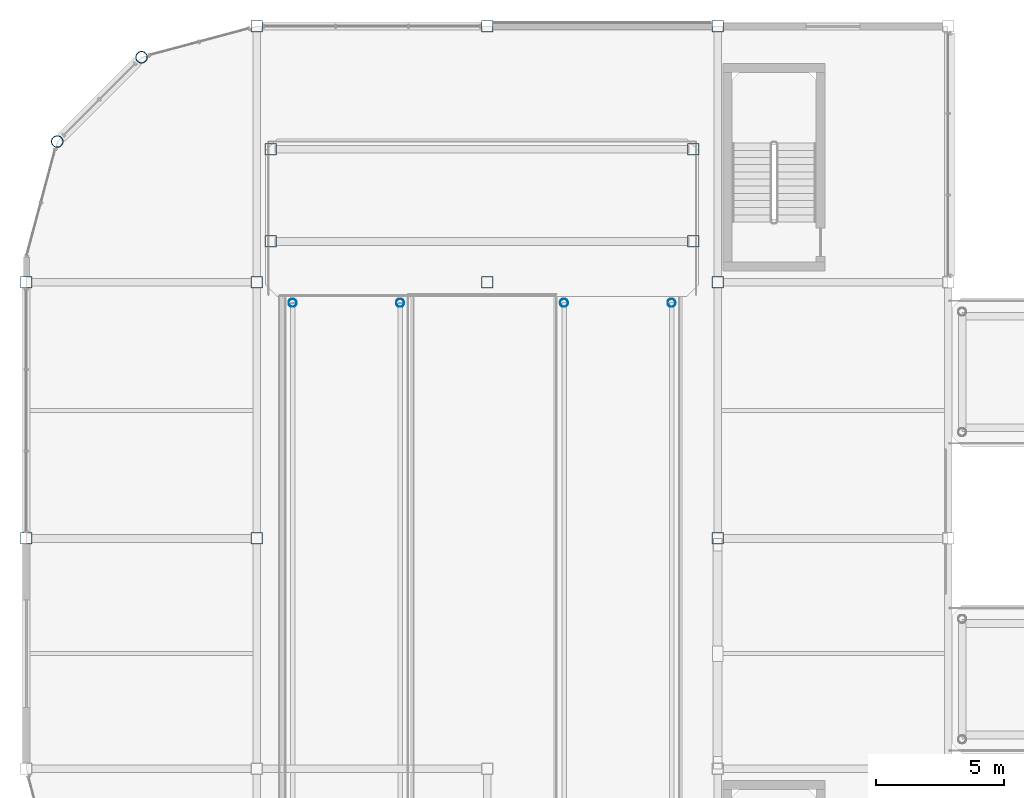
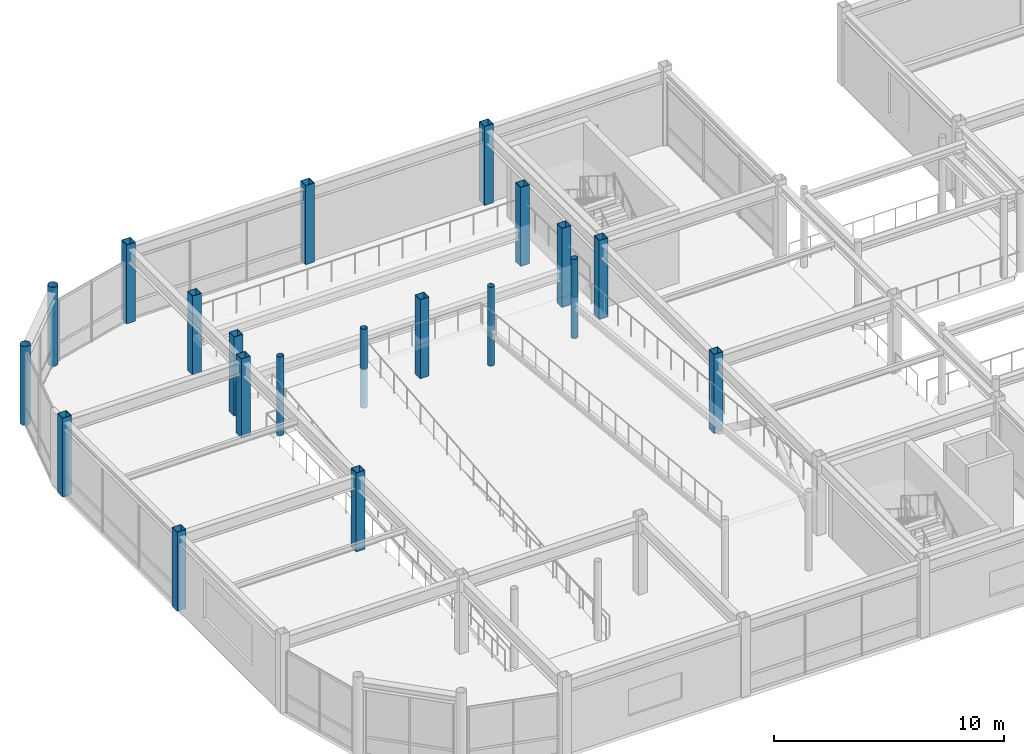
# One storey, part 10 of 105: 20 columns.
"""IFC4 building model written with IfcOpenShell, lengths in metres."""

import ifcopenshell
import ifcopenshell.guid

model = None  # the IFC model being written
_history = None  # IfcOwnerHistory: only IFC2X3 demands one
_inside = {}  # id of a spatial element -> (the spatial element, [elements in it])
_under = {}  # id of a project, library or spatial element -> (it, [spatial elements below it])
_declared = {}  # id of a project -> (the project, [libraries it declares])
_typed = {}  # id of a type object -> (the type object, [elements of that type])
_made_of = {}  # id of a material, layer set ... -> (it, [elements and type objects made of it])


def new_model(schema):
    """Start an empty IFC model of exactly this schema.

    Asked for "IFC4X3", IfcOpenShell would pick the latest addendum, in which some entities
    have other attributes; the version numbers below select the first issue.
    IFC2X3 requires an IfcOwnerHistory on every rooted entity: one is made here for all.
    """
    global model, _history
    if schema == "IFC4X3":
        model = ifcopenshell.file(schema_version=(4, 3, 0, 0))
    else:
        model = ifcopenshell.file(schema=schema)
    _inside.clear()
    _under.clear()
    _declared.clear()
    _typed.clear()
    _made_of.clear()
    _history = None
    if model.schema == "IFC2X3":
        org = make("IfcOrganization", Name="unknown")
        user = make(
            "IfcPersonAndOrganization",
            ThePerson=make("IfcPerson", FamilyName="unknown"),
            TheOrganization=org,
        )
        app = make(
            "IfcApplication",
            ApplicationDeveloper=org,
            Version="unknown",
            ApplicationFullName="unknown",
            ApplicationIdentifier="unknown",
        )
        _history = make(
            "IfcOwnerHistory",
            OwningUser=user,
            OwningApplication=app,
            ChangeAction="ADDED",
            CreationDate=0,
        )
    return model


def make(cls, **values):
    """One entity of the class cls with the attributes given. An attribute that is None is left unset."""
    return model.create_entity(
        cls, **{name: value for name, value in values.items() if value is not None}
    )


def rooted(cls, **values):
    """An entity with a GlobalId (a new one), such as an element, a storey or a relation."""
    return make(cls, GlobalId=ifcopenshell.guid.new(), OwnerHistory=_history, **values)


def si_unit(unit_type, name, prefix=None):
    """IfcSIUnit, for example si_unit("LENGTHUNIT", "METRE", prefix="MILLI")."""
    return make("IfcSIUnit", UnitType=unit_type, Prefix=prefix, Name=name)


def assignment(units):
    """IfcUnitAssignment: the units of a project."""
    return None if units is None else make("IfcUnitAssignment", Units=units)


def point(xyz):
    """IfcCartesianPoint."""
    return None if xyz is None else make("IfcCartesianPoint", Coordinates=xyz)


def direction(xyz):
    """IfcDirection."""
    return None if xyz is None else make("IfcDirection", DirectionRatios=xyz)


def frame(location, z_axis=None, x_axis=None):
    """IfcAxis2Placement3D, a coordinate frame: its origin and axes. An axis left out is left unset."""
    return make(
        "IfcAxis2Placement3D",
        Location=point(location),
        Axis=direction(z_axis),
        RefDirection=direction(x_axis),
    )


def frame_2d(location, x_axis=None):
    """IfcAxis2Placement2D, a coordinate frame in the plane: its origin and x axis."""
    return make(
        "IfcAxis2Placement2D", Location=point(location), RefDirection=direction(x_axis)
    )


def origin():
    """The frame at (0, 0, 0) with its axes left unset."""
    return frame((0.0, 0.0, 0.0))


def origin_2d():
    """The frame at (0, 0) in the plane with its x axis left unset."""
    return frame_2d((0.0, 0.0))


def place(relative_to, where):
    """IfcLocalPlacement: puts the frame where relative to a parent placement (None: the world)."""
    return make(
        "IfcLocalPlacement", PlacementRelTo=relative_to, RelativePlacement=where
    )


def context(
    kind, dimensions, precision=None, world=None, true_north=None, identifier=None
):
    """IfcGeometricRepresentationContext, for example the 3D "Model" context."""
    return make(
        "IfcGeometricRepresentationContext",
        ContextIdentifier=identifier,
        ContextType=kind,
        CoordinateSpaceDimension=dimensions,
        Precision=precision,
        WorldCoordinateSystem=world,
        TrueNorth=true_north,
    )


def subcontext(parent, identifier, kind, view, scale=None):
    """IfcGeometricRepresentationSubContext, for example "Body" below "Model"."""
    return make(
        "IfcGeometricRepresentationSubContext",
        ContextIdentifier=identifier,
        ContextType=kind,
        ParentContext=parent,
        TargetScale=scale,
        TargetView=view,
    )


def project(units=None, contexts=None):
    """IfcProject with its units and contexts."""
    return rooted(
        "IfcProject",
        Name="project",
        RepresentationContexts=contexts,
        UnitsInContext=assignment(units),
    )


def spatial(cls, under=None, at=None, **own):
    """A site, building, storey or space (cls), placed at a placement, below another one or the project."""
    s = rooted(cls, ObjectPlacement=at, **own)
    if under is not None:
        _under.setdefault(under.id(), (under, []))[1].append(s)
    return s


def profile(cls, at=None, kind="AREA", **sizes):
    """A parametric profile (cls). Its sizes go by their IFC names, for example OverallWidth=200.0."""
    return make(cls, ProfileType=kind, Position=at, **sizes)


def hollow_rectangle(**sizes):
    """IfcRectangleHollowProfileDef."""
    return profile("IfcRectangleHollowProfileDef", **sizes)


def hollow_circle(**sizes):
    """IfcCircleHollowProfileDef."""
    return profile("IfcCircleHollowProfileDef", **sizes)


def extrude(swept, where, along, depth):
    """IfcExtrudedAreaSolid: the profile swept, set in the frame where, extruded along a direction by depth."""
    return make(
        "IfcExtrudedAreaSolid",
        SweptArea=swept,
        Position=where,
        ExtrudedDirection=direction(along),
        Depth=depth,
    )


def shape(context_of_items, identifier, shape_type, items):
    """IfcShapeRepresentation: the items that make up one representation, for example the "Body"."""
    return make(
        "IfcShapeRepresentation",
        ContextOfItems=context_of_items,
        RepresentationIdentifier=identifier,
        RepresentationType=shape_type,
        Items=items,
    )


def material(Name=None, Category=None):
    """IfcMaterial."""
    return make("IfcMaterial", Name=Name, Category=Category)


def material_profile(
    of_material, cross_section, Name=None, Category=None, Priority=None
):
    """IfcMaterialProfile: a cross section and its material."""
    return make(
        "IfcMaterialProfile",
        Name=Name,
        Material=of_material,
        Profile=cross_section,
        Priority=Priority,
        Category=Category,
    )


def profile_set(profiles, Name=None, composite=None):
    """IfcMaterialProfileSet."""
    return make(
        "IfcMaterialProfileSet",
        Name=Name,
        MaterialProfiles=profiles,
        CompositeProfile=composite,
    )


def made_of(thing, what):
    """Note that an element or type object is made of a material, layer set ...; save() writes the relation."""
    if what is not None:
        _made_of.setdefault(what.id(), (what, []))[1].append(thing)
    return thing


def type_object(cls, material=None, **own):
    """A type object (cls), such as IfcWallType, which elements share."""
    return made_of(rooted(cls, **own), material)


def element(
    cls,
    number,
    at=None,
    inside=None,
    cuts=None,
    type_object=None,
    material=None,
    context=None,
    identifier="Body",
    shape_type=None,
    held_by="IfcProductDefinitionShape",
    body=None,
    shapes=None,
    **own,
):
    """One element of the class cls, such as IfcWall. Its Tag is "e" and its number.

    at: its placement. inside: the storey or other place that contains it. cuts: it is an
    opening in that element (IfcRelVoidsElement). A single representation is given by context,
    identifier, shape_type and body (its items); several are given by shapes. held_by: the class
    of the entity that holds the representations. save() writes the other relations.
    """
    e = rooted(cls, Tag="e%d" % number, ObjectPlacement=at, **own)
    if body is not None:
        shapes = [shape(context, identifier, shape_type, body)]
    if shapes is not None:
        e.Representation = make(held_by, Representations=shapes)
    if inside is not None:
        _inside.setdefault(inside.id(), (inside, []))[1].append(e)
    if cuts is not None:
        rooted(
            "IfcRelVoidsElement", RelatingBuildingElement=cuts, RelatedOpeningElement=e
        )
    if type_object is not None:
        _typed.setdefault(type_object.id(), (type_object, []))[1].append(e)
    return made_of(e, material)


def aggregate(whole, parts):
    """IfcRelAggregates: a whole, such as a stair, and the parts it consists of."""
    return rooted("IfcRelAggregates", RelatingObject=whole, RelatedObjects=parts)


def save(model, path):
    """Write the relations noted so far, then the file.

    IfcRelAggregates (storeys below a building ...), IfcRelContainedInSpatialStructure (elements
    in a storey), IfcRelDefinesByType, IfcRelAssociatesMaterial and IfcRelDeclares: one each for
    every whole, place, type object, material and project.
    """
    for whole, parts in _under.values():
        aggregate(whole, parts)
    for where, things in _inside.values():
        rooted(
            "IfcRelContainedInSpatialStructure",
            RelatedElements=things,
            RelatingStructure=where,
        )
    for kind, things in _typed.values():
        rooted("IfcRelDefinesByType", RelatedObjects=things, RelatingType=kind)
    for what, things in _made_of.values():
        rooted("IfcRelAssociatesMaterial", RelatedObjects=things, RelatingMaterial=what)
    for by, libraries in _declared.values():
        rooted("IfcRelDeclares", RelatingContext=by, RelatedDefinitions=libraries)
    model.write(path)


model = new_model("IFC4")

# Units and contexts
model_context = context("Model", 3, precision=1e-05, world=origin(), true_north=direction((0.0, 1.0)))
body_context = subcontext(model_context, "Body", "Model", "MODEL_VIEW")
ifc_project = project(units=[si_unit("LENGTHUNIT", "METRE"), si_unit("AREAUNIT", "SQUARE_METRE"), si_unit("VOLUMEUNIT", "CUBIC_METRE"), si_unit("PLANEANGLEUNIT", "RADIAN"), si_unit("MASSUNIT", "GRAM", prefix="KILO")], contexts=[model_context])

# Site, building, storey
site_placement = place(None, origin())
site = spatial("IfcSite", under=ifc_project, at=site_placement, CompositionType="ELEMENT")
building_placement = place(site_placement, origin())
building = spatial("IfcBuilding", under=site, at=building_placement, Name="Suzunagisa Mobility Hub", CompositionType="ELEMENT")
storey_placement = place(building_placement, frame((0.0, 0.0, 5.10009765625)))
storey = spatial("IfcBuildingStorey", under=building, at=storey_placement, Name="L01", CompositionType="ELEMENT", Elevation=5.10009765625)

# Columns
ifc_material = material(Name="Steel SN490B", Category="steel")
ifc_material_profile_1 = material_profile(ifc_material, hollow_circle(Radius=0.228515625, WallThickness=0.01611328125, at=origin_2d()), Name="CHS-457.2x16.0")
ifc_profile_set_1 = profile_set([ifc_material_profile_1], Name="Steel SN490B")
column_type_1 = type_object("IfcColumnType", Name="Steel Column CL-08 CHS-457.2x16.0", PredefinedType="COLUMN", material=ifc_profile_set_1)
for number, where, z_axis, x_axis, name in (
    (1, (1.205810546875, 113.5, 0.0), (0.0, 0.0, 1.0), (1.0, 0.0, 0.0), "L01 Column 14"),
    (2, (4.5, 116.794189453125, 0.0), (0.0, 0.0, 1.0), (1.0, 0.0, 0.0), "L01 Column 19"),
):
    element("IfcColumn", number, at=place(storey_placement, frame(where, z_axis=z_axis, x_axis=x_axis)), inside=storey, type_object=column_type_1, Name=name, PredefinedType="COLUMN", context=body_context, shape_type="SweptSolid", body=[
        extrude(hollow_circle(Radius=0.228515625, WallThickness=0.01611328125, at=origin_2d()), origin(), (0.0, 0.0, 1.0), 4.199951171875),
    ])
ifc_material_profile_2 = material_profile(ifc_material, hollow_circle(Radius=0.1591796875, WallThickness=0.01025390625, at=origin_2d()), Name="CHS-318.5x10.3")
ifc_profile_set_2 = profile_set([ifc_material_profile_2], Name="Steel SN490B")
column_type_2 = type_object("IfcColumnType", Name="Steel Column CL-09 CHS-318.5x10.3", PredefinedType="COLUMN", material=ifc_profile_set_2)
for number, where, z_axis, x_axis, name in (
    (3, (10.39990234375, 107.199951171875, 0.0), (0.0, 0.0, 1.0), (1.0, 0.0, 0.0), "L01 Column 36"),
    (4, (14.60009765625, 107.199951171875, 0.0), (0.0, 0.0, 1.0), (1.0, 0.0, 0.0), "L01 Column 39"),
    (5, (21.0, 107.199951171875, 0.0), (0.0, 0.0, 1.0), (1.0, 0.0, 0.0), "L01 Column 56"),
    (6, (25.199951171875, 107.199951171875, 0.0), (0.0, 0.0, 1.0), (1.0, 0.0, 0.0), "L01 Column 58"),
):
    element("IfcColumn", number, at=place(storey_placement, frame(where, z_axis=z_axis, x_axis=x_axis)), inside=storey, type_object=column_type_2, Name=name, PredefinedType="COLUMN", context=body_context, shape_type="SweptSolid", body=[
        extrude(hollow_circle(Radius=0.1591796875, WallThickness=0.01025390625, at=origin_2d()), origin(), (0.0, 0.0, 1.0), 4.199951171875),
    ])
ifc_material_profile_3 = material_profile(ifc_material, hollow_rectangle(XDim=0.449951171875, YDim=0.449951171875, WallThickness=0.02197265625, at=origin_2d()), Name="BCR-450x450x22")
ifc_profile_set_3 = profile_set([ifc_material_profile_3], Name="Steel SN490B")
column_type_3 = type_object("IfcColumnType", Name="Steel Column CL-17 BCR-450x450x22", PredefinedType="COLUMN", material=ifc_profile_set_3)
for number, where, z_axis, x_axis, name in (
    (7, (0.0, 98.0, 0.0), (0.0, 0.0, 1.0), (1.0, 0.0, 0.0), "L01 Column 9"),
    (8, (0.0, 108.0, 0.0), (0.0, 0.0, 1.0), (1.0, 0.0, 0.0), "L01 Column 10"),
    (9, (9.0, 98.0, 0.0), (0.0, 0.0, 1.0), (1.0, 0.0, 0.0), "L01 Column 30"),
    (10, (9.0, 108.0, 0.0), (0.0, 0.0, 1.0), (1.0, 0.0, 0.0), "L01 Column 31"),
    (11, (9.0, 118.0, 0.0), (0.0, 0.0, 1.0), (1.0, 0.0, 0.0), "L01 Column 32"),
    (12, (9.550048828125, 109.60009765625, 0.0), (0.0, 0.0, 1.0), (1.0, 0.0, 0.0), "L01 Column 33"),
    (13, (9.550048828125, 113.199951171875, 0.0), (0.0, 0.0, 1.0), (1.0, 0.0, 0.0), "L01 Column 34"),
    (14, (18.0, 108.0, 0.0), (0.0, 0.0, 1.0), (1.0, 0.0, 0.0), "L01 Column 52"),
    (15, (18.0, 118.0, 0.0), (0.0, 0.0, 1.0), (1.0, 0.0, 0.0), "L01 Column 53"),
    (16, (26.050048828125, 109.60009765625, 0.0), (0.0, 0.0, 1.0), (1.0, 0.0, 0.0), "L01 Column 60"),
    (17, (26.050048828125, 113.199951171875, 0.0), (0.0, 0.0, 1.0), (1.0, 0.0, 0.0), "L01 Column 61"),
    (18, (27.0, 98.0, 0.0), (0.0, 0.0, 1.0), (1.0, 0.0, 0.0), "L01 Column 72"),
    (19, (27.0, 108.0, 0.0), (0.0, 0.0, 1.0), (1.0, 0.0, 0.0), "L01 Column 73"),
    (20, (27.0, 118.0, 0.0), (0.0, 0.0, 1.0), (1.0, 0.0, 0.0), "L01 Column 74"),
):
    element("IfcColumn", number, at=place(storey_placement, frame(where, z_axis=z_axis, x_axis=x_axis)), inside=storey, type_object=column_type_3, Name=name, PredefinedType="COLUMN", context=body_context, shape_type="SweptSolid", body=[
        extrude(hollow_rectangle(XDim=0.449951171875, YDim=0.449951171875, WallThickness=0.02197265625, at=origin_2d()), origin(), (0.0, 0.0, 1.0), 4.199951171875),
    ])

save(model, "model.ifc")
